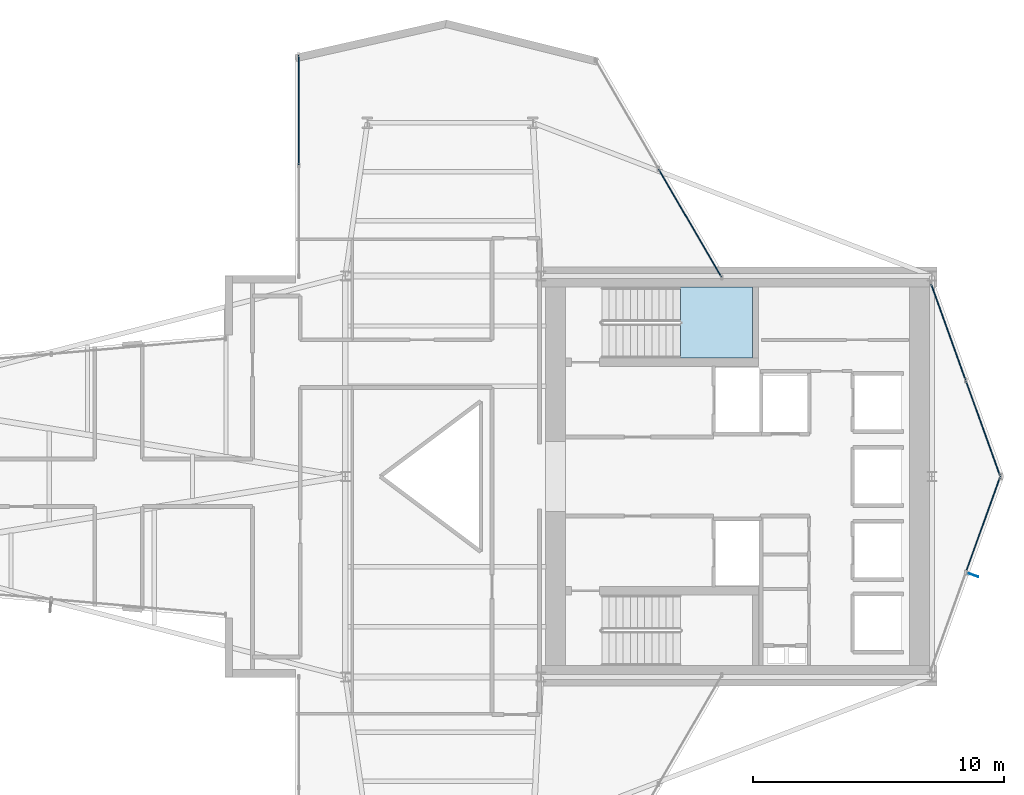
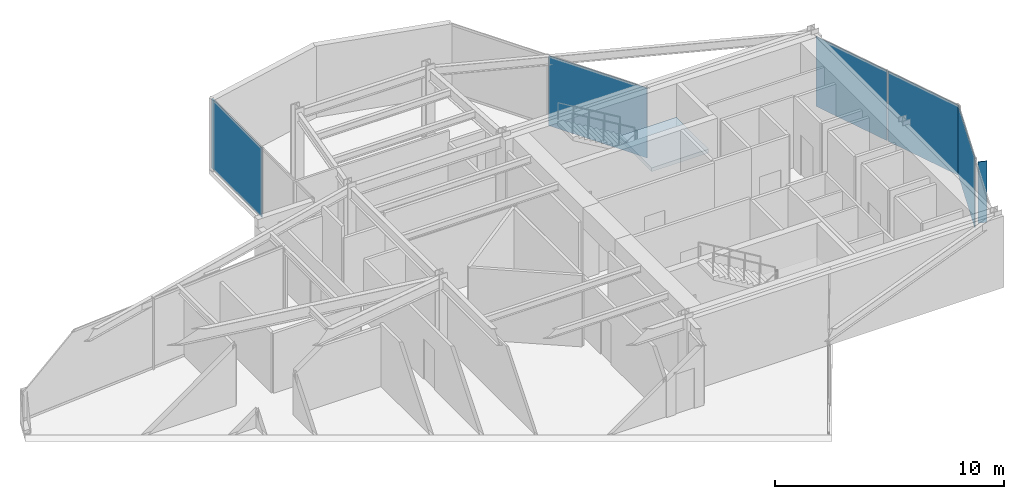
# One storey, part 21 of 25: 6 plates, 1 slab, 5 elements without a shape of their own.
"""IFC4 building model written with IfcOpenShell, lengths in metres."""

import ifcopenshell
import ifcopenshell.guid

model = None  # the IFC model being written
_history = None  # IfcOwnerHistory: only IFC2X3 demands one
_inside = {}  # id of a spatial element -> (the spatial element, [elements in it])
_under = {}  # id of a project, library or spatial element -> (it, [spatial elements below it])
_declared = {}  # id of a project -> (the project, [libraries it declares])
_typed = {}  # id of a type object -> (the type object, [elements of that type])
_made_of = {}  # id of a material, layer set ... -> (it, [elements and type objects made of it])


def new_model(schema):
    """Start an empty IFC model of exactly this schema.

    Asked for "IFC4X3", IfcOpenShell would pick the latest addendum, in which some entities
    have other attributes; the version numbers below select the first issue.
    IFC2X3 requires an IfcOwnerHistory on every rooted entity: one is made here for all.
    """
    global model, _history
    if schema == "IFC4X3":
        model = ifcopenshell.file(schema_version=(4, 3, 0, 0))
    else:
        model = ifcopenshell.file(schema=schema)
    _inside.clear()
    _under.clear()
    _declared.clear()
    _typed.clear()
    _made_of.clear()
    _history = None
    if model.schema == "IFC2X3":
        org = make("IfcOrganization", Name="unknown")
        user = make(
            "IfcPersonAndOrganization",
            ThePerson=make("IfcPerson", FamilyName="unknown"),
            TheOrganization=org,
        )
        app = make(
            "IfcApplication",
            ApplicationDeveloper=org,
            Version="unknown",
            ApplicationFullName="unknown",
            ApplicationIdentifier="unknown",
        )
        _history = make(
            "IfcOwnerHistory",
            OwningUser=user,
            OwningApplication=app,
            ChangeAction="ADDED",
            CreationDate=0,
        )
    return model


def make(cls, **values):
    """One entity of the class cls with the attributes given. An attribute that is None is left unset."""
    return model.create_entity(
        cls, **{name: value for name, value in values.items() if value is not None}
    )


def rooted(cls, **values):
    """An entity with a GlobalId (a new one), such as an element, a storey or a relation."""
    return make(cls, GlobalId=ifcopenshell.guid.new(), OwnerHistory=_history, **values)


def si_unit(unit_type, name, prefix=None):
    """IfcSIUnit, for example si_unit("LENGTHUNIT", "METRE", prefix="MILLI")."""
    return make("IfcSIUnit", UnitType=unit_type, Prefix=prefix, Name=name)


def assignment(units):
    """IfcUnitAssignment: the units of a project."""
    return None if units is None else make("IfcUnitAssignment", Units=units)


def point(xyz):
    """IfcCartesianPoint."""
    return None if xyz is None else make("IfcCartesianPoint", Coordinates=xyz)


def direction(xyz):
    """IfcDirection."""
    return None if xyz is None else make("IfcDirection", DirectionRatios=xyz)


def frame(location, z_axis=None, x_axis=None):
    """IfcAxis2Placement3D, a coordinate frame: its origin and axes. An axis left out is left unset."""
    return make(
        "IfcAxis2Placement3D",
        Location=point(location),
        Axis=direction(z_axis),
        RefDirection=direction(x_axis),
    )


def frame_2d(location, x_axis=None):
    """IfcAxis2Placement2D, a coordinate frame in the plane: its origin and x axis."""
    return make(
        "IfcAxis2Placement2D", Location=point(location), RefDirection=direction(x_axis)
    )


def origin():
    """The frame at (0, 0, 0) with its axes left unset."""
    return frame((0.0, 0.0, 0.0))


def origin_2d():
    """The frame at (0, 0) in the plane with its x axis left unset."""
    return frame_2d((0.0, 0.0))


def place(relative_to, where):
    """IfcLocalPlacement: puts the frame where relative to a parent placement (None: the world)."""
    return make(
        "IfcLocalPlacement", PlacementRelTo=relative_to, RelativePlacement=where
    )


def context(
    kind, dimensions, precision=None, world=None, true_north=None, identifier=None
):
    """IfcGeometricRepresentationContext, for example the 3D "Model" context."""
    return make(
        "IfcGeometricRepresentationContext",
        ContextIdentifier=identifier,
        ContextType=kind,
        CoordinateSpaceDimension=dimensions,
        Precision=precision,
        WorldCoordinateSystem=world,
        TrueNorth=true_north,
    )


def subcontext(parent, identifier, kind, view, scale=None):
    """IfcGeometricRepresentationSubContext, for example "Body" below "Model"."""
    return make(
        "IfcGeometricRepresentationSubContext",
        ContextIdentifier=identifier,
        ContextType=kind,
        ParentContext=parent,
        TargetScale=scale,
        TargetView=view,
    )


def project(units=None, contexts=None):
    """IfcProject with its units and contexts."""
    return rooted(
        "IfcProject",
        Name="project",
        RepresentationContexts=contexts,
        UnitsInContext=assignment(units),
    )


def spatial(cls, under=None, at=None, **own):
    """A site, building, storey or space (cls), placed at a placement, below another one or the project."""
    s = rooted(cls, ObjectPlacement=at, **own)
    if under is not None:
        _under.setdefault(under.id(), (under, []))[1].append(s)
    return s


def polyline(points):
    """IfcPolyline through the points."""
    return make("IfcPolyline", Points=[point(p) for p in points])


def profile(cls, at=None, kind="AREA", **sizes):
    """A parametric profile (cls). Its sizes go by their IFC names, for example OverallWidth=200.0."""
    return make(cls, ProfileType=kind, Position=at, **sizes)


def rectangle(**sizes):
    """IfcRectangleProfileDef."""
    return profile("IfcRectangleProfileDef", **sizes)


def outline(outer, holes=None, kind="AREA"):
    """IfcArbitraryClosedProfileDef: a profile drawn as a closed curve; with holes, ...WithVoids."""
    if holes is None:
        return make("IfcArbitraryClosedProfileDef", ProfileType=kind, OuterCurve=outer)
    return make(
        "IfcArbitraryProfileDefWithVoids",
        ProfileType=kind,
        OuterCurve=outer,
        InnerCurves=holes,
    )


def extrude(swept, where, along, depth):
    """IfcExtrudedAreaSolid: the profile swept, set in the frame where, extruded along a direction by depth."""
    return make(
        "IfcExtrudedAreaSolid",
        SweptArea=swept,
        Position=where,
        ExtrudedDirection=direction(along),
        Depth=depth,
    )


def shape(context_of_items, identifier, shape_type, items):
    """IfcShapeRepresentation: the items that make up one representation, for example the "Body"."""
    return make(
        "IfcShapeRepresentation",
        ContextOfItems=context_of_items,
        RepresentationIdentifier=identifier,
        RepresentationType=shape_type,
        Items=items,
    )


def material(Name=None, Category=None):
    """IfcMaterial."""
    return make("IfcMaterial", Name=Name, Category=Category)


def layer(
    of_material, thickness, ventilated=None, Name=None, Category=None, Priority=None
):
    """IfcMaterialLayer: one layer of a wall or slab, of a material (None: an air gap)."""
    return make(
        "IfcMaterialLayer",
        Material=of_material,
        LayerThickness=thickness,
        IsVentilated=ventilated,
        Name=Name,
        Category=Category,
        Priority=Priority,
    )


def layer_set(layers, Name=None):
    """IfcMaterialLayerSet."""
    return make("IfcMaterialLayerSet", MaterialLayers=layers, LayerSetName=Name)


def made_of(thing, what):
    """Note that an element or type object is made of a material, layer set ...; save() writes the relation."""
    if what is not None:
        _made_of.setdefault(what.id(), (what, []))[1].append(thing)
    return thing


def type_object(cls, material=None, **own):
    """A type object (cls), such as IfcWallType, which elements share."""
    return made_of(rooted(cls, **own), material)


def element(
    cls,
    number,
    at=None,
    inside=None,
    cuts=None,
    type_object=None,
    material=None,
    context=None,
    identifier="Body",
    shape_type=None,
    held_by="IfcProductDefinitionShape",
    body=None,
    shapes=None,
    **own,
):
    """One element of the class cls, such as IfcWall. Its Tag is "e" and its number.

    at: its placement. inside: the storey or other place that contains it. cuts: it is an
    opening in that element (IfcRelVoidsElement). A single representation is given by context,
    identifier, shape_type and body (its items); several are given by shapes. held_by: the class
    of the entity that holds the representations. save() writes the other relations.
    """
    e = rooted(cls, Tag="e%d" % number, ObjectPlacement=at, **own)
    if body is not None:
        shapes = [shape(context, identifier, shape_type, body)]
    if shapes is not None:
        e.Representation = make(held_by, Representations=shapes)
    if inside is not None:
        _inside.setdefault(inside.id(), (inside, []))[1].append(e)
    if cuts is not None:
        rooted(
            "IfcRelVoidsElement", RelatingBuildingElement=cuts, RelatedOpeningElement=e
        )
    if type_object is not None:
        _typed.setdefault(type_object.id(), (type_object, []))[1].append(e)
    return made_of(e, material)


def aggregate(whole, parts):
    """IfcRelAggregates: a whole, such as a stair, and the parts it consists of."""
    return rooted("IfcRelAggregates", RelatingObject=whole, RelatedObjects=parts)


def save(model, path):
    """Write the relations noted so far, then the file.

    IfcRelAggregates (storeys below a building ...), IfcRelContainedInSpatialStructure (elements
    in a storey), IfcRelDefinesByType, IfcRelAssociatesMaterial and IfcRelDeclares: one each for
    every whole, place, type object, material and project.
    """
    for whole, parts in _under.values():
        aggregate(whole, parts)
    for where, things in _inside.values():
        rooted(
            "IfcRelContainedInSpatialStructure",
            RelatedElements=things,
            RelatingStructure=where,
        )
    for kind, things in _typed.values():
        rooted("IfcRelDefinesByType", RelatedObjects=things, RelatingType=kind)
    for what, things in _made_of.values():
        rooted("IfcRelAssociatesMaterial", RelatedObjects=things, RelatingMaterial=what)
    for by, libraries in _declared.values():
        rooted("IfcRelDeclares", RelatingContext=by, RelatedDefinitions=libraries)
    model.write(path)


model = new_model("IFC4")

# Units and contexts
model_context = context("Model", 3, precision=1e-05, world=origin(), true_north=direction((0.0, 1.0)))
body_context = subcontext(model_context, "Body", "Model", "MODEL_VIEW")
ifc_project = project(units=[si_unit("LENGTHUNIT", "METRE"), si_unit("AREAUNIT", "SQUARE_METRE"), si_unit("VOLUMEUNIT", "CUBIC_METRE"), si_unit("PLANEANGLEUNIT", "RADIAN"), si_unit("MASSUNIT", "GRAM", prefix="KILO")], contexts=[model_context])

# Site, building, storey
site_placement = place(None, origin())
site = spatial("IfcSite", under=ifc_project, at=site_placement, CompositionType="ELEMENT")
building_placement = place(site_placement, origin())
building = spatial("IfcBuilding", under=site, at=building_placement, Name="Veymaron Broadcast Tower", CompositionType="ELEMENT")
storey_placement = place(building_placement, frame((0.0, 0.0, 169.5)))
storey = spatial("IfcBuildingStorey", under=building, at=storey_placement, Name="L39", CompositionType="ELEMENT", Elevation=169.5)

# Curtain wall, plate
ifc_material_1 = material(Name="Anodised aluminium AA 6063-T6 and laminated low-E dark glass", Category="aluminium")
ifc_layer_1 = layer(ifc_material_1, 0.179931640625)
ifc_layer_set_1 = layer_set([ifc_layer_1], Name="Anodised aluminium AA 6063-T6 and laminated low-E dark glass")
curtain_wall_type = type_object("IfcCurtainWallType", Name="CW-SYS-03", PredefinedType="NOTDEFINED", material=ifc_layer_set_1)
curtain_wall_1_placement = place(storey_placement, origin())
curtain_wall_1 = element("IfcCurtainWall", 1, at=curtain_wall_1_placement, inside=storey, type_object=curtain_wall_type, Name="L39 dark-glass curtain wall CW-L39-E2-1", PredefinedType="NOTDEFINED")
ifc_material_2 = material(Name="Insulated dark-anodised aluminium spandrel panel 40 mm", Category="aluminium")
ifc_layer_2 = layer(ifc_material_2, 0.0400390625)
ifc_layer_set_2 = layer_set([ifc_layer_2], Name="Insulated dark-anodised aluminium spandrel panel 40 mm")
plate_type_1 = type_object("IfcPlateType", Name="CW-PNL-03", PredefinedType="CURTAIN_PANEL", material=ifc_layer_set_2)
plate_1_placement = place(storey_placement, frame((56.648681640625, 22.1103515625, 0.0400390625), z_axis=(0.0, 0.0, 1.0), x_axis=(0.338409470269, 0.94099895347, 0.0)))
plate_1 = element("IfcPlate", 2, at=plate_1_placement, type_object=plate_type_1, Name="CW-L39-E2-1 unitised curtain panel 1", PredefinedType="CURTAIN_PANEL", context=body_context, shape_type="SweptSolid", body=[
    extrude(rectangle(XDim=4.05712890625, YDim=0.0400390625, at=origin_2d()), origin(), (0.0, 0.0, 1.0), 3.72998046875),
])
aggregate(curtain_wall_1, [plate_1])

# Curtain wall, plates
curtain_wall_2_placement = place(storey_placement, origin())
curtain_wall_2 = element("IfcCurtainWall", 3, at=curtain_wall_2_placement, inside=storey, type_object=curtain_wall_type, Name="L39 dark-glass curtain wall CW-L39-E3-1", PredefinedType="NOTDEFINED")
plate_2_placement = place(storey_placement, frame((56.648681640625, 25.8896484375, 0.0400390625), z_axis=(0.0, 0.0, 1.0), x_axis=(-0.338409470269, 0.94099895347, 0.0)))
plate_2 = element("IfcPlate", 4, at=plate_2_placement, type_object=plate_type_1, Name="CW-L39-E3-1 unitised curtain panel 0", PredefinedType="CURTAIN_PANEL", context=body_context, shape_type="SweptSolid", body=[
    extrude(rectangle(XDim=4.05712890625, YDim=0.0400390625, at=origin_2d()), origin(), (0.0, 0.0, 1.0), 3.72998046875),
])
plate_3_placement = place(storey_placement, frame((55.25537109375, 29.763916015625, 0.0400390625), z_axis=(0.0, 0.0, 1.0), x_axis=(-0.338409470269, 0.94099895347, 0.0)))
plate_3 = element("IfcPlate", 5, at=plate_3_placement, type_object=plate_type_1, Name="CW-L39-E3-1 unitised curtain panel 1", PredefinedType="CURTAIN_PANEL", context=body_context, shape_type="SweptSolid", body=[
    extrude(rectangle(XDim=4.05712890625, YDim=0.0400390625, at=origin_2d()), origin(), (0.0, 0.0, 1.0), 3.72998046875),
])
aggregate(curtain_wall_2, [plate_2, plate_3])

# Curtain wall, plate
curtain_wall_3_placement = place(storey_placement, origin())
curtain_wall_3 = element("IfcCurtainWall", 6, at=curtain_wall_3_placement, inside=storey, type_object=curtain_wall_type, Name="L39 dark-glass curtain wall CW-L39-E5-1", PredefinedType="NOTDEFINED")
plate_4_placement = place(storey_placement, frame((44.952392578125, 34.103271484375, 0.0400390625), z_axis=(0.0, 0.0, 1.0), x_axis=(-0.502084416969, 0.864818615801, 0.0)))
plate_4 = element("IfcPlate", 7, at=plate_4_placement, type_object=plate_type_1, Name="CW-L39-E5-1 unitised curtain panel 0", PredefinedType="CURTAIN_PANEL", context=body_context, shape_type="SweptSolid", body=[
    extrude(rectangle(XDim=4.966552734375, YDim=0.0400390625, at=origin_2d()), origin(), (0.0, 0.0, 1.0), 3.72998046875),
])
aggregate(curtain_wall_3, [plate_4])

curtain_wall_4_placement = place(storey_placement, origin())
curtain_wall_4 = element("IfcCurtainWall", 8, at=curtain_wall_4_placement, inside=storey, type_object=curtain_wall_type, Name="L39 dark-glass curtain wall CW-L39-E8-1", PredefinedType="NOTDEFINED")
plate_5_placement = place(storey_placement, frame((29.337158203125, 38.62353515625, 0.0400390625), z_axis=(0.0, 0.0, 1.0), x_axis=(0.001448622772, -0.999998950745, 0.0)))
plate_5 = element("IfcPlate", 9, at=plate_5_placement, type_object=plate_type_1, Name="CW-L39-E8-1 unitised curtain panel 0", PredefinedType="CURTAIN_PANEL", context=body_context, shape_type="SweptSolid", body=[
    extrude(rectangle(XDim=4.35546875, YDim=0.0400390625, at=origin_2d()), origin(), (0.0, 0.0, 1.0), 3.72998046875),
])
aggregate(curtain_wall_4, [plate_5])

# Plate
ifc_material_3 = material(Name="Dark-anodised aluminium AA 6061-T6", Category="aluminium")
ifc_layer_3 = layer(ifc_material_3, 0.031982421875)
ifc_layer_set_3 = layer_set([ifc_layer_3], Name="Dark-anodised aluminium AA 6061-T6")
plate_type_2 = type_object("IfcPlateType", Name="FIN-CHEV-03", PredefinedType="USERDEFINED", material=ifc_layer_set_3)
plate_6_placement = place(storey_placement, frame((56.262451171875, 20.0615234375, 0.2666015625), z_axis=(0.0, 0.0, 1.0), x_axis=(0.94099895347, -0.338409470269, 0.0)))
element("IfcPlate", 10, at=plate_6_placement, inside=storey, type_object=plate_type_2, Name="CW-L39-E2-1 chevron fin 1", ObjectType="FIN", PredefinedType="USERDEFINED", context=body_context, shape_type="SweptSolid", body=[
    extrude(rectangle(XDim=0.39990234375, YDim=0.034912109375, at=origin_2d()), origin(), (0.0, 0.0, 1.0), 3.276611328125),
])

# Stair, slab
ifc_material_4 = material(Name="Concrete C50/60", Category="concrete")
stair_type = type_object("IfcStairType", Name="STAIR-CORE-1", PredefinedType="HALF_TURN_STAIR", material=ifc_material_4)
stair_placement = place(storey_placement, origin())
stair = element("IfcStair", 11, at=stair_placement, inside=storey, type_object=stair_type, Name="L39 North protected dog-leg exit stair ST1", PredefinedType="HALF_TURN_STAIR")
ifc_layer_4 = layer(ifc_material_4, 0.199951171875)
ifc_layer_set_4 = layer_set([ifc_layer_4], Name="Concrete C50/60")
slab_type = type_object("IfcSlabType", Name="SLAB-STAIR-LDG", PredefinedType="LANDING", material=ifc_layer_set_4)
slab_placement = place(storey_placement, frame((0.0, 0.0, 1.824951171875)))
slab = element("IfcSlab", 12, at=slab_placement, type_object=slab_type, Name="ST1 landing 1", PredefinedType="LANDING", context=body_context, shape_type="SweptSolid", body=[
    extrude(outline(polyline([(44.56494140625, 28.72998046875), (47.43994140625, 28.72998046875), (47.43994140625, 31.550048828125), (44.56494140625, 31.550048828125), (44.56494140625, 28.72998046875)])), origin(), (0.0, 0.0, 1.0), 0.199951171875),
])
aggregate(stair, [slab])

save(model, "model.ifc")
